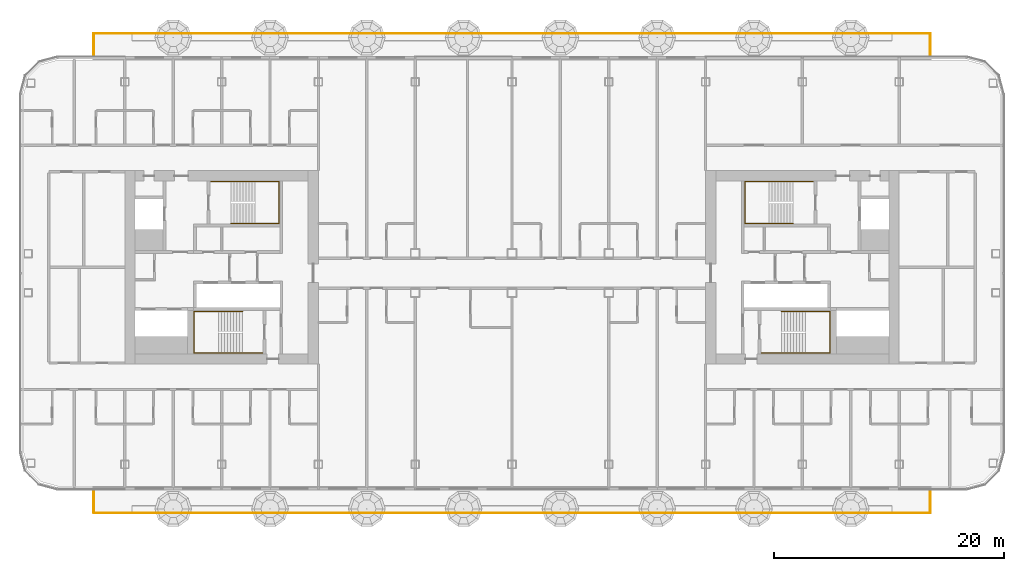
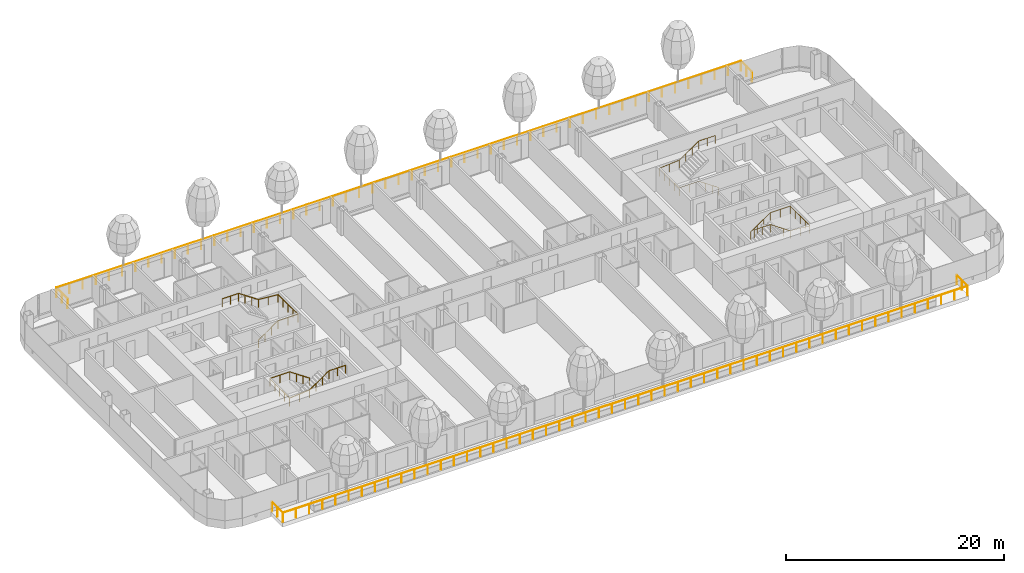
# One storey, part 27 of 32: 6 railings.
"""IFC4 building model written with IfcOpenShell, lengths in metres."""

from ifc_helpers import new_model, si_unit, direction, frame, origin, origin_2d, place, context, subcontext, project, spatial, circle, extrude, material, type_object, element, save


model = new_model("IFC4")

# Units and contexts
model_context = context("Model", 3, precision=1e-05, world=origin(), true_north=direction((0.0, 1.0)))
body_context = subcontext(model_context, "Body", "Model", "MODEL_VIEW")
ifc_project = project(units=[si_unit("LENGTHUNIT", "METRE"), si_unit("AREAUNIT", "SQUARE_METRE"), si_unit("VOLUMEUNIT", "CUBIC_METRE"), si_unit("PLANEANGLEUNIT", "RADIAN"), si_unit("MASSUNIT", "GRAM", prefix="KILO")], contexts=[model_context])

# Site, building, storey
site_placement = place(None, origin())
site = spatial("IfcSite", under=ifc_project, at=site_placement, CompositionType="ELEMENT")
building_placement = place(site_placement, origin())
building = spatial("IfcBuilding", under=site, at=building_placement, Name="Hakoniwa Tower and Hamabe Station Hall", CompositionType="ELEMENT")
storey_placement = place(building_placement, frame((0.0, 0.0, 150.199951171875)))
storey = spatial("IfcBuildingStorey", under=building, at=storey_placement, Name="L42", CompositionType="ELEMENT", Elevation=150.199951171875)

# Railings
ifc_material_1 = material(Name="Stainless steel and laminated glass", Category="steel")
railing_type_1 = type_object("IfcRailingType", Name="BALCONY BALUSTRADE 1100", PredefinedType="BALUSTRADE", material=ifc_material_1)
railing_1_placement = place(storey_placement, frame((-36.300048828125, 18.300048828125, 0.0)))
element("IfcRailing", 1, at=railing_1_placement, inside=storey, type_object=railing_type_1, Name="Balcony balustrade", PredefinedType="BALUSTRADE", context=body_context, shape_type="SweptSolid", body=[
    extrude(circle(Radius=0.02392578125, at=origin_2d()), frame((0.0, 0.0, 1.076171875), z_axis=(0.0, 1.0, 0.0), x_axis=(-1.0, 0.0, 0.0)), (0.0, 0.0, 1.0), 2.0),
    extrude(circle(Radius=0.02392578125, at=origin_2d()), frame((0.0, 2.0, 1.076171875), z_axis=(1.0, 0.0, 0.0), x_axis=(0.0, 1.0, 0.0)), (0.0, 0.0, 1.0), 72.60009765625),
    extrude(circle(Radius=0.02392578125, at=origin_2d()), frame((72.60009765625, 2.0, 1.076171875), z_axis=(0.0, -1.0, 0.0), x_axis=(1.0, 0.0, 0.0)), (0.0, 0.0, 1.0), 2.0),
    extrude(circle(Radius=0.02099609375, at=origin_2d()), origin(), (0.0, 0.0, 1.0), 1.052001953125),
    extrude(circle(Radius=0.02099609375, at=origin_2d()), frame((0.0, 1.0, 0.0)), (0.0, 0.0, 1.0), 1.052001953125),
    extrude(circle(Radius=0.02099609375, at=origin_2d()), frame((0.0, 2.0, 0.0)), (0.0, 0.0, 1.0), 1.052001953125),
    extrude(circle(Radius=0.02099609375, at=origin_2d()), frame((1.396240234375, 2.0, 0.0)), (0.0, 0.0, 1.0), 1.052001953125),
    extrude(circle(Radius=0.02099609375, at=origin_2d()), frame((2.792236328125, 2.0, 0.0)), (0.0, 0.0, 1.0), 1.052001953125),
    extrude(circle(Radius=0.02099609375, at=origin_2d()), frame((4.1884765625, 2.0, 0.0)), (0.0, 0.0, 1.0), 1.052001953125),
    extrude(circle(Radius=0.02099609375, at=origin_2d()), frame((5.584716796875, 2.0, 0.0)), (0.0, 0.0, 1.0), 1.052001953125),
    extrude(circle(Radius=0.02099609375, at=origin_2d()), frame((6.980712890625, 2.0, 0.0)), (0.0, 0.0, 1.0), 1.052001953125),
    extrude(circle(Radius=0.02099609375, at=origin_2d()), frame((8.376953125, 2.0, 0.0)), (0.0, 0.0, 1.0), 1.052001953125),
    extrude(circle(Radius=0.02099609375, at=origin_2d()), frame((9.773193359375, 2.0, 0.0)), (0.0, 0.0, 1.0), 1.052001953125),
    extrude(circle(Radius=0.02099609375, at=origin_2d()), frame((11.169189453125, 2.0, 0.0)), (0.0, 0.0, 1.0), 1.052001953125),
    extrude(circle(Radius=0.02099609375, at=origin_2d()), frame((12.5654296875, 2.0, 0.0)), (0.0, 0.0, 1.0), 1.052001953125),
    extrude(circle(Radius=0.02099609375, at=origin_2d()), frame((13.961669921875, 2.0, 0.0)), (0.0, 0.0, 1.0), 1.052001953125),
    extrude(circle(Radius=0.02099609375, at=origin_2d()), frame((15.357666015625, 2.0, 0.0)), (0.0, 0.0, 1.0), 1.052001953125),
    extrude(circle(Radius=0.02099609375, at=origin_2d()), frame((16.75390625, 2.0, 0.0)), (0.0, 0.0, 1.0), 1.052001953125),
    extrude(circle(Radius=0.02099609375, at=origin_2d()), frame((18.14990234375, 2.0, 0.0)), (0.0, 0.0, 1.0), 1.052001953125),
    extrude(circle(Radius=0.02099609375, at=origin_2d()), frame((19.546142578125, 2.0, 0.0)), (0.0, 0.0, 1.0), 1.052001953125),
    extrude(circle(Radius=0.02099609375, at=origin_2d()), frame((20.9423828125, 2.0, 0.0)), (0.0, 0.0, 1.0), 1.052001953125),
    extrude(circle(Radius=0.02099609375, at=origin_2d()), frame((22.33837890625, 2.0, 0.0)), (0.0, 0.0, 1.0), 1.052001953125),
    extrude(circle(Radius=0.02099609375, at=origin_2d()), frame((23.734619140625, 2.0, 0.0)), (0.0, 0.0, 1.0), 1.052001953125),
    extrude(circle(Radius=0.02099609375, at=origin_2d()), frame((25.130859375, 2.0, 0.0)), (0.0, 0.0, 1.0), 1.052001953125),
    extrude(circle(Radius=0.02099609375, at=origin_2d()), frame((26.52685546875, 2.0, 0.0)), (0.0, 0.0, 1.0), 1.052001953125),
    extrude(circle(Radius=0.02099609375, at=origin_2d()), frame((27.923095703125, 2.0, 0.0)), (0.0, 0.0, 1.0), 1.052001953125),
    extrude(circle(Radius=0.02099609375, at=origin_2d()), frame((29.3193359375, 2.0, 0.0)), (0.0, 0.0, 1.0), 1.052001953125),
    extrude(circle(Radius=0.02099609375, at=origin_2d()), frame((30.71533203125, 2.0, 0.0)), (0.0, 0.0, 1.0), 1.052001953125),
    extrude(circle(Radius=0.02099609375, at=origin_2d()), frame((32.111572265625, 2.0, 0.0)), (0.0, 0.0, 1.0), 1.052001953125),
    extrude(circle(Radius=0.02099609375, at=origin_2d()), frame((33.5078125, 2.0, 0.0)), (0.0, 0.0, 1.0), 1.052001953125),
    extrude(circle(Radius=0.02099609375, at=origin_2d()), frame((34.90380859375, 2.0, 0.0)), (0.0, 0.0, 1.0), 1.052001953125),
    extrude(circle(Radius=0.02099609375, at=origin_2d()), frame((36.300048828125, 2.0, 0.0)), (0.0, 0.0, 1.0), 1.052001953125),
    extrude(circle(Radius=0.02099609375, at=origin_2d()), frame((37.6962890625, 2.0, 0.0)), (0.0, 0.0, 1.0), 1.052001953125),
    extrude(circle(Radius=0.02099609375, at=origin_2d()), frame((39.09228515625, 2.0, 0.0)), (0.0, 0.0, 1.0), 1.052001953125),
    extrude(circle(Radius=0.02099609375, at=origin_2d()), frame((40.488525390625, 2.0, 0.0)), (0.0, 0.0, 1.0), 1.052001953125),
    extrude(circle(Radius=0.02099609375, at=origin_2d()), frame((41.884765625, 2.0, 0.0)), (0.0, 0.0, 1.0), 1.052001953125),
    extrude(circle(Radius=0.02099609375, at=origin_2d()), frame((43.28076171875, 2.0, 0.0)), (0.0, 0.0, 1.0), 1.052001953125),
    extrude(circle(Radius=0.02099609375, at=origin_2d()), frame((44.677001953125, 2.0, 0.0)), (0.0, 0.0, 1.0), 1.052001953125),
    extrude(circle(Radius=0.02099609375, at=origin_2d()), frame((46.0732421875, 2.0, 0.0)), (0.0, 0.0, 1.0), 1.052001953125),
    extrude(circle(Radius=0.02099609375, at=origin_2d()), frame((47.46923828125, 2.0, 0.0)), (0.0, 0.0, 1.0), 1.052001953125),
    extrude(circle(Radius=0.02099609375, at=origin_2d()), frame((48.865478515625, 2.0, 0.0)), (0.0, 0.0, 1.0), 1.052001953125),
    extrude(circle(Radius=0.02099609375, at=origin_2d()), frame((50.26171875, 2.0, 0.0)), (0.0, 0.0, 1.0), 1.052001953125),
    extrude(circle(Radius=0.02099609375, at=origin_2d()), frame((51.65771484375, 2.0, 0.0)), (0.0, 0.0, 1.0), 1.052001953125),
    extrude(circle(Radius=0.02099609375, at=origin_2d()), frame((53.053955078125, 2.0, 0.0)), (0.0, 0.0, 1.0), 1.052001953125),
    extrude(circle(Radius=0.02099609375, at=origin_2d()), frame((54.4501953125, 2.0, 0.0)), (0.0, 0.0, 1.0), 1.052001953125),
    extrude(circle(Radius=0.02099609375, at=origin_2d()), frame((55.84619140625, 2.0, 0.0)), (0.0, 0.0, 1.0), 1.052001953125),
    extrude(circle(Radius=0.02099609375, at=origin_2d()), frame((57.242431640625, 2.0, 0.0)), (0.0, 0.0, 1.0), 1.052001953125),
    extrude(circle(Radius=0.02099609375, at=origin_2d()), frame((58.638427734375, 2.0, 0.0)), (0.0, 0.0, 1.0), 1.052001953125),
    extrude(circle(Radius=0.02099609375, at=origin_2d()), frame((60.03466796875, 2.0, 0.0)), (0.0, 0.0, 1.0), 1.052001953125),
    extrude(circle(Radius=0.02099609375, at=origin_2d()), frame((61.430908203125, 2.0, 0.0)), (0.0, 0.0, 1.0), 1.052001953125),
    extrude(circle(Radius=0.02099609375, at=origin_2d()), frame((62.826904296875, 2.0, 0.0)), (0.0, 0.0, 1.0), 1.052001953125),
    extrude(circle(Radius=0.02099609375, at=origin_2d()), frame((64.22314453125, 2.0, 0.0)), (0.0, 0.0, 1.0), 1.052001953125),
    extrude(circle(Radius=0.02099609375, at=origin_2d()), frame((65.619384765625, 2.0, 0.0)), (0.0, 0.0, 1.0), 1.052001953125),
    extrude(circle(Radius=0.02099609375, at=origin_2d()), frame((67.015380859375, 2.0, 0.0)), (0.0, 0.0, 1.0), 1.052001953125),
    extrude(circle(Radius=0.02099609375, at=origin_2d()), frame((68.41162109375, 2.0, 0.0)), (0.0, 0.0, 1.0), 1.052001953125),
    extrude(circle(Radius=0.02099609375, at=origin_2d()), frame((69.807861328125, 2.0, 0.0)), (0.0, 0.0, 1.0), 1.052001953125),
    extrude(circle(Radius=0.02099609375, at=origin_2d()), frame((71.203857421875, 2.0, 0.0)), (0.0, 0.0, 1.0), 1.052001953125),
    extrude(circle(Radius=0.02099609375, at=origin_2d()), frame((72.60009765625, 2.0, 0.0)), (0.0, 0.0, 1.0), 1.052001953125),
    extrude(circle(Radius=0.02099609375, at=origin_2d()), frame((72.60009765625, 1.0, 0.0)), (0.0, 0.0, 1.0), 1.052001953125),
    extrude(circle(Radius=0.02099609375, at=origin_2d()), frame((72.60009765625, 0.0, 0.0)), (0.0, 0.0, 1.0), 1.052001953125),
])
railing_2_placement = place(storey_placement, frame((-36.300048828125, -19.300048828125, 0.0)))
element("IfcRailing", 2, at=railing_2_placement, inside=storey, type_object=railing_type_1, Name="Balcony balustrade", PredefinedType="BALUSTRADE", context=body_context, shape_type="SweptSolid", body=[
    extrude(circle(Radius=0.02392578125, at=origin_2d()), frame((0.0, 0.0, 1.076171875), z_axis=(0.0, -1.0, 0.0), x_axis=(1.0, 0.0, 0.0)), (0.0, 0.0, 1.0), 2.0),
    extrude(circle(Radius=0.02392578125, at=origin_2d()), frame((0.0, -2.0, 1.076171875), z_axis=(1.0, 0.0, 0.0), x_axis=(0.0, 1.0, 0.0)), (0.0, 0.0, 1.0), 72.60009765625),
    extrude(circle(Radius=0.02392578125, at=origin_2d()), frame((72.60009765625, -2.0, 1.076171875), z_axis=(0.0, 1.0, 0.0), x_axis=(-1.0, 0.0, 0.0)), (0.0, 0.0, 1.0), 2.0),
    extrude(circle(Radius=0.02099609375, at=origin_2d()), origin(), (0.0, 0.0, 1.0), 1.052001953125),
    extrude(circle(Radius=0.02099609375, at=origin_2d()), frame((0.0, -1.0, 0.0)), (0.0, 0.0, 1.0), 1.052001953125),
    extrude(circle(Radius=0.02099609375, at=origin_2d()), frame((0.0, -2.0, 0.0)), (0.0, 0.0, 1.0), 1.052001953125),
    extrude(circle(Radius=0.02099609375, at=origin_2d()), frame((1.396240234375, -2.0, 0.0)), (0.0, 0.0, 1.0), 1.052001953125),
    extrude(circle(Radius=0.02099609375, at=origin_2d()), frame((2.792236328125, -2.0, 0.0)), (0.0, 0.0, 1.0), 1.052001953125),
    extrude(circle(Radius=0.02099609375, at=origin_2d()), frame((4.1884765625, -2.0, 0.0)), (0.0, 0.0, 1.0), 1.052001953125),
    extrude(circle(Radius=0.02099609375, at=origin_2d()), frame((5.584716796875, -2.0, 0.0)), (0.0, 0.0, 1.0), 1.052001953125),
    extrude(circle(Radius=0.02099609375, at=origin_2d()), frame((6.980712890625, -2.0, 0.0)), (0.0, 0.0, 1.0), 1.052001953125),
    extrude(circle(Radius=0.02099609375, at=origin_2d()), frame((8.376953125, -2.0, 0.0)), (0.0, 0.0, 1.0), 1.052001953125),
    extrude(circle(Radius=0.02099609375, at=origin_2d()), frame((9.773193359375, -2.0, 0.0)), (0.0, 0.0, 1.0), 1.052001953125),
    extrude(circle(Radius=0.02099609375, at=origin_2d()), frame((11.169189453125, -2.0, 0.0)), (0.0, 0.0, 1.0), 1.052001953125),
    extrude(circle(Radius=0.02099609375, at=origin_2d()), frame((12.5654296875, -2.0, 0.0)), (0.0, 0.0, 1.0), 1.052001953125),
    extrude(circle(Radius=0.02099609375, at=origin_2d()), frame((13.961669921875, -2.0, 0.0)), (0.0, 0.0, 1.0), 1.052001953125),
    extrude(circle(Radius=0.02099609375, at=origin_2d()), frame((15.357666015625, -2.0, 0.0)), (0.0, 0.0, 1.0), 1.052001953125),
    extrude(circle(Radius=0.02099609375, at=origin_2d()), frame((16.75390625, -2.0, 0.0)), (0.0, 0.0, 1.0), 1.052001953125),
    extrude(circle(Radius=0.02099609375, at=origin_2d()), frame((18.14990234375, -2.0, 0.0)), (0.0, 0.0, 1.0), 1.052001953125),
    extrude(circle(Radius=0.02099609375, at=origin_2d()), frame((19.546142578125, -2.0, 0.0)), (0.0, 0.0, 1.0), 1.052001953125),
    extrude(circle(Radius=0.02099609375, at=origin_2d()), frame((20.9423828125, -2.0, 0.0)), (0.0, 0.0, 1.0), 1.052001953125),
    extrude(circle(Radius=0.02099609375, at=origin_2d()), frame((22.33837890625, -2.0, 0.0)), (0.0, 0.0, 1.0), 1.052001953125),
    extrude(circle(Radius=0.02099609375, at=origin_2d()), frame((23.734619140625, -2.0, 0.0)), (0.0, 0.0, 1.0), 1.052001953125),
    extrude(circle(Radius=0.02099609375, at=origin_2d()), frame((25.130859375, -2.0, 0.0)), (0.0, 0.0, 1.0), 1.052001953125),
    extrude(circle(Radius=0.02099609375, at=origin_2d()), frame((26.52685546875, -2.0, 0.0)), (0.0, 0.0, 1.0), 1.052001953125),
    extrude(circle(Radius=0.02099609375, at=origin_2d()), frame((27.923095703125, -2.0, 0.0)), (0.0, 0.0, 1.0), 1.052001953125),
    extrude(circle(Radius=0.02099609375, at=origin_2d()), frame((29.3193359375, -2.0, 0.0)), (0.0, 0.0, 1.0), 1.052001953125),
    extrude(circle(Radius=0.02099609375, at=origin_2d()), frame((30.71533203125, -2.0, 0.0)), (0.0, 0.0, 1.0), 1.052001953125),
    extrude(circle(Radius=0.02099609375, at=origin_2d()), frame((32.111572265625, -2.0, 0.0)), (0.0, 0.0, 1.0), 1.052001953125),
    extrude(circle(Radius=0.02099609375, at=origin_2d()), frame((33.5078125, -2.0, 0.0)), (0.0, 0.0, 1.0), 1.052001953125),
    extrude(circle(Radius=0.02099609375, at=origin_2d()), frame((34.90380859375, -2.0, 0.0)), (0.0, 0.0, 1.0), 1.052001953125),
    extrude(circle(Radius=0.02099609375, at=origin_2d()), frame((36.300048828125, -2.0, 0.0)), (0.0, 0.0, 1.0), 1.052001953125),
    extrude(circle(Radius=0.02099609375, at=origin_2d()), frame((37.6962890625, -2.0, 0.0)), (0.0, 0.0, 1.0), 1.052001953125),
    extrude(circle(Radius=0.02099609375, at=origin_2d()), frame((39.09228515625, -2.0, 0.0)), (0.0, 0.0, 1.0), 1.052001953125),
    extrude(circle(Radius=0.02099609375, at=origin_2d()), frame((40.488525390625, -2.0, 0.0)), (0.0, 0.0, 1.0), 1.052001953125),
    extrude(circle(Radius=0.02099609375, at=origin_2d()), frame((41.884765625, -2.0, 0.0)), (0.0, 0.0, 1.0), 1.052001953125),
    extrude(circle(Radius=0.02099609375, at=origin_2d()), frame((43.28076171875, -2.0, 0.0)), (0.0, 0.0, 1.0), 1.052001953125),
    extrude(circle(Radius=0.02099609375, at=origin_2d()), frame((44.677001953125, -2.0, 0.0)), (0.0, 0.0, 1.0), 1.052001953125),
    extrude(circle(Radius=0.02099609375, at=origin_2d()), frame((46.0732421875, -2.0, 0.0)), (0.0, 0.0, 1.0), 1.052001953125),
    extrude(circle(Radius=0.02099609375, at=origin_2d()), frame((47.46923828125, -2.0, 0.0)), (0.0, 0.0, 1.0), 1.052001953125),
    extrude(circle(Radius=0.02099609375, at=origin_2d()), frame((48.865478515625, -2.0, 0.0)), (0.0, 0.0, 1.0), 1.052001953125),
    extrude(circle(Radius=0.02099609375, at=origin_2d()), frame((50.26171875, -2.0, 0.0)), (0.0, 0.0, 1.0), 1.052001953125),
    extrude(circle(Radius=0.02099609375, at=origin_2d()), frame((51.65771484375, -2.0, 0.0)), (0.0, 0.0, 1.0), 1.052001953125),
    extrude(circle(Radius=0.02099609375, at=origin_2d()), frame((53.053955078125, -2.0, 0.0)), (0.0, 0.0, 1.0), 1.052001953125),
    extrude(circle(Radius=0.02099609375, at=origin_2d()), frame((54.4501953125, -2.0, 0.0)), (0.0, 0.0, 1.0), 1.052001953125),
    extrude(circle(Radius=0.02099609375, at=origin_2d()), frame((55.84619140625, -2.0, 0.0)), (0.0, 0.0, 1.0), 1.052001953125),
    extrude(circle(Radius=0.02099609375, at=origin_2d()), frame((57.242431640625, -2.0, 0.0)), (0.0, 0.0, 1.0), 1.052001953125),
    extrude(circle(Radius=0.02099609375, at=origin_2d()), frame((58.638427734375, -2.0, 0.0)), (0.0, 0.0, 1.0), 1.052001953125),
    extrude(circle(Radius=0.02099609375, at=origin_2d()), frame((60.03466796875, -2.0, 0.0)), (0.0, 0.0, 1.0), 1.052001953125),
    extrude(circle(Radius=0.02099609375, at=origin_2d()), frame((61.430908203125, -2.0, 0.0)), (0.0, 0.0, 1.0), 1.052001953125),
    extrude(circle(Radius=0.02099609375, at=origin_2d()), frame((62.826904296875, -2.0, 0.0)), (0.0, 0.0, 1.0), 1.052001953125),
    extrude(circle(Radius=0.02099609375, at=origin_2d()), frame((64.22314453125, -2.0, 0.0)), (0.0, 0.0, 1.0), 1.052001953125),
    extrude(circle(Radius=0.02099609375, at=origin_2d()), frame((65.619384765625, -2.0, 0.0)), (0.0, 0.0, 1.0), 1.052001953125),
    extrude(circle(Radius=0.02099609375, at=origin_2d()), frame((67.015380859375, -2.0, 0.0)), (0.0, 0.0, 1.0), 1.052001953125),
    extrude(circle(Radius=0.02099609375, at=origin_2d()), frame((68.41162109375, -2.0, 0.0)), (0.0, 0.0, 1.0), 1.052001953125),
    extrude(circle(Radius=0.02099609375, at=origin_2d()), frame((69.807861328125, -2.0, 0.0)), (0.0, 0.0, 1.0), 1.052001953125),
    extrude(circle(Radius=0.02099609375, at=origin_2d()), frame((71.203857421875, -2.0, 0.0)), (0.0, 0.0, 1.0), 1.052001953125),
    extrude(circle(Radius=0.02099609375, at=origin_2d()), frame((72.60009765625, -2.0, 0.0)), (0.0, 0.0, 1.0), 1.052001953125),
    extrude(circle(Radius=0.02099609375, at=origin_2d()), frame((72.60009765625, -1.0, 0.0)), (0.0, 0.0, 1.0), 1.052001953125),
    extrude(circle(Radius=0.02099609375, at=origin_2d()), frame((72.60009765625, 0.0, 0.0)), (0.0, 0.0, 1.0), 1.052001953125),
])
ifc_material_2 = material(Name="Stainless steel SUS304", Category="steel")
railing_type_2 = type_object("IfcRailingType", Name="STAIR HANDRAIL 900", PredefinedType="HANDRAIL", material=ifc_material_2)
railing_3_placement = place(storey_placement, frame((-24.39990234375, 3.81005859375, 0.177734375)))
element("IfcRailing", 3, at=railing_3_placement, inside=storey, type_object=railing_type_2, Name="Handrail ST-1 L42 1", PredefinedType="HANDRAIL", context=body_context, shape_type="SweptSolid", body=[
    extrude(circle(Radius=0.02392578125, at=origin_2d()), frame((0.0, 0.0, 0.8759765625), z_axis=(0.825433201882, 0.0, 0.564499804456), x_axis=(0.0, 1.0, 0.0)), (0.0, 0.0, 1.0), 2.519775390625),
    extrude(circle(Radius=0.02392578125, at=origin_2d()), frame((2.079833984375, 0.0, 2.29833984375), z_axis=(1.0, 0.0, 0.0), x_axis=(0.0, 1.0, 0.0)), (0.0, 0.0, 1.0), 2.110107421875),
    extrude(circle(Radius=0.02392578125, at=origin_2d()), frame((4.18994140625, 0.0, 2.29833984375), z_axis=(0.0, 1.0, 0.0), x_axis=(-1.0, 0.0, 0.0)), (0.0, 0.0, 1.0), 3.6298828125),
    extrude(circle(Radius=0.02392578125, at=origin_2d()), frame((4.18994140625, 3.6298828125, 2.29833984375), z_axis=(-0.996471417081, 0.0, 0.083932800143), x_axis=(0.0, -1.0, 0.0)), (0.0, 0.0, 1.0), 2.11767578125),
    extrude(circle(Radius=0.02392578125, at=origin_2d()), frame((2.079833984375, 3.6298828125, 2.47607421875), z_axis=(-0.825478349766, 0.0, 0.564433781827), x_axis=(0.0, -1.0, 0.0)), (0.0, 0.0, 1.0), 2.51953125),
    extrude(circle(Radius=0.02392578125, at=origin_2d()), frame((0.0, 3.6298828125, 3.89794921875), z_axis=(-1.0, 0.0, 0.0), x_axis=(0.0, -1.0, 0.0)), (0.0, 0.0, 1.0), 1.739990234375),
    extrude(circle(Radius=0.02099609375, at=origin_2d()), origin(), (0.0, 0.0, 1.0), 0.851806640625),
    extrude(circle(Radius=0.02099609375, at=origin_2d()), frame((0.693359375, 0.0, 0.47412109375)), (0.0, 0.0, 1.0), 0.851806640625),
    extrude(circle(Radius=0.02099609375, at=origin_2d()), frame((1.386474609375, 0.0, 0.9482421875)), (0.0, 0.0, 1.0), 0.851806640625),
    extrude(circle(Radius=0.02099609375, at=origin_2d()), frame((2.079833984375, 0.0, 1.42236328125)), (0.0, 0.0, 1.0), 0.851806640625),
    extrude(circle(Radius=0.02099609375, at=origin_2d()), frame((3.134765625, 0.0, 1.42236328125)), (0.0, 0.0, 1.0), 0.851806640625),
    extrude(circle(Radius=0.02099609375, at=origin_2d()), frame((4.18994140625, 0.0, 1.42236328125)), (0.0, 0.0, 1.0), 0.851806640625),
    extrude(circle(Radius=0.02099609375, at=origin_2d()), frame((4.18994140625, 0.907470703125, 1.42236328125)), (0.0, 0.0, 1.0), 0.851806640625),
    extrude(circle(Radius=0.02099609375, at=origin_2d()), frame((4.18994140625, 1.81494140625, 1.42236328125)), (0.0, 0.0, 1.0), 0.851806640625),
    extrude(circle(Radius=0.02099609375, at=origin_2d()), frame((4.18994140625, 2.722412109375, 1.42236328125)), (0.0, 0.0, 1.0), 0.851806640625),
    extrude(circle(Radius=0.02099609375, at=origin_2d()), frame((4.18994140625, 3.6298828125, 1.42236328125)), (0.0, 0.0, 1.0), 0.851806640625),
    extrude(circle(Radius=0.02099609375, at=origin_2d()), frame((3.134765625, 3.6298828125, 1.51123046875)), (0.0, 0.0, 1.0), 0.851806640625),
    extrude(circle(Radius=0.02099609375, at=origin_2d()), frame((2.079833984375, 3.6298828125, 1.60009765625)), (0.0, 0.0, 1.0), 0.851806640625),
    extrude(circle(Radius=0.02099609375, at=origin_2d()), frame((1.386474609375, 3.6298828125, 2.07421875)), (0.0, 0.0, 1.0), 0.851806640625),
    extrude(circle(Radius=0.02099609375, at=origin_2d()), frame((0.693359375, 3.6298828125, 2.548095703125)), (0.0, 0.0, 1.0), 0.851806640625),
    extrude(circle(Radius=0.02099609375, at=origin_2d()), frame((0.0, 3.6298828125, 3.022216796875)), (0.0, 0.0, 1.0), 0.851806640625),
    extrude(circle(Radius=0.02099609375, at=origin_2d()), frame((-0.8701171875, 3.6298828125, 3.022216796875)), (0.0, 0.0, 1.0), 0.851806640625),
    extrude(circle(Radius=0.02099609375, at=origin_2d()), frame((-1.739990234375, 3.6298828125, 3.022216796875)), (0.0, 0.0, 1.0), 0.851806640625),
])
railing_4_placement = place(storey_placement, frame((-23.39990234375, -3.81005859375, 0.177734375)))
element("IfcRailing", 4, at=railing_4_placement, inside=storey, type_object=railing_type_2, Name="Handrail ST-2 L42 1", PredefinedType="HANDRAIL", context=body_context, shape_type="SweptSolid", body=[
    extrude(circle(Radius=0.02392578125, at=origin_2d()), frame((0.0, 0.0, 0.8759765625), z_axis=(-0.825464074169, 0.0, 0.564454659168), x_axis=(0.0, -1.0, 0.0)), (0.0, 0.0, 1.0), 2.519775390625),
    extrude(circle(Radius=0.02392578125, at=origin_2d()), frame((-2.080078125, 0.0, 2.29833984375), z_axis=(-1.0, 0.0, 0.0), x_axis=(0.0, -1.0, 0.0)), (0.0, 0.0, 1.0), 2.110107421875),
    extrude(circle(Radius=0.02392578125, at=origin_2d()), frame((-4.190185546875, 0.0, 2.29833984375), z_axis=(0.0, -1.0, 0.0), x_axis=(1.0, 0.0, 0.0)), (0.0, 0.0, 1.0), 3.6298828125),
    extrude(circle(Radius=0.02392578125, at=origin_2d()), frame((-4.190185546875, -3.6298828125, 2.29833984375), z_axis=(0.996471417081, 0.0, 0.083932800143), x_axis=(0.0, 1.0, 0.0)), (0.0, 0.0, 1.0), 2.11767578125),
    extrude(circle(Radius=0.02392578125, at=origin_2d()), frame((-2.080078125, -3.6298828125, 2.47607421875), z_axis=(0.82550921652, 0.0, 0.564388636881), x_axis=(0.0, 1.0, 0.0)), (0.0, 0.0, 1.0), 2.519775390625),
    extrude(circle(Radius=0.02392578125, at=origin_2d()), frame((0.0, -3.6298828125, 3.89794921875), z_axis=(1.0, 0.0, 0.0), x_axis=(0.0, 1.0, 0.0)), (0.0, 0.0, 1.0), 1.739990234375),
    extrude(circle(Radius=0.02099609375, at=origin_2d()), origin(), (0.0, 0.0, 1.0), 0.851806640625),
    extrude(circle(Radius=0.02099609375, at=origin_2d()), frame((-0.693359375, 0.0, 0.47412109375)), (0.0, 0.0, 1.0), 0.851806640625),
    extrude(circle(Radius=0.02099609375, at=origin_2d()), frame((-1.38671875, 0.0, 0.9482421875)), (0.0, 0.0, 1.0), 0.851806640625),
    extrude(circle(Radius=0.02099609375, at=origin_2d()), frame((-2.080078125, 0.0, 1.42236328125)), (0.0, 0.0, 1.0), 0.851806640625),
    extrude(circle(Radius=0.02099609375, at=origin_2d()), frame((-3.13525390625, 0.0, 1.42236328125)), (0.0, 0.0, 1.0), 0.851806640625),
    extrude(circle(Radius=0.02099609375, at=origin_2d()), frame((-4.190185546875, 0.0, 1.42236328125)), (0.0, 0.0, 1.0), 0.851806640625),
    extrude(circle(Radius=0.02099609375, at=origin_2d()), frame((-4.190185546875, -0.907470703125, 1.42236328125)), (0.0, 0.0, 1.0), 0.851806640625),
    extrude(circle(Radius=0.02099609375, at=origin_2d()), frame((-4.190185546875, -1.81494140625, 1.42236328125)), (0.0, 0.0, 1.0), 0.851806640625),
    extrude(circle(Radius=0.02099609375, at=origin_2d()), frame((-4.190185546875, -2.722412109375, 1.42236328125)), (0.0, 0.0, 1.0), 0.851806640625),
    extrude(circle(Radius=0.02099609375, at=origin_2d()), frame((-4.190185546875, -3.6298828125, 1.42236328125)), (0.0, 0.0, 1.0), 0.851806640625),
    extrude(circle(Radius=0.02099609375, at=origin_2d()), frame((-3.13525390625, -3.6298828125, 1.51123046875)), (0.0, 0.0, 1.0), 0.851806640625),
    extrude(circle(Radius=0.02099609375, at=origin_2d()), frame((-2.080078125, -3.6298828125, 1.60009765625)), (0.0, 0.0, 1.0), 0.851806640625),
    extrude(circle(Radius=0.02099609375, at=origin_2d()), frame((-1.38671875, -3.6298828125, 2.07421875)), (0.0, 0.0, 1.0), 0.851806640625),
    extrude(circle(Radius=0.02099609375, at=origin_2d()), frame((-0.693359375, -3.6298828125, 2.548095703125)), (0.0, 0.0, 1.0), 0.851806640625),
    extrude(circle(Radius=0.02099609375, at=origin_2d()), frame((0.0, -3.6298828125, 3.022216796875)), (0.0, 0.0, 1.0), 0.851806640625),
    extrude(circle(Radius=0.02099609375, at=origin_2d()), frame((0.8701171875, -3.6298828125, 3.022216796875)), (0.0, 0.0, 1.0), 0.851806640625),
    extrude(circle(Radius=0.02099609375, at=origin_2d()), frame((1.739990234375, -3.6298828125, 3.022216796875)), (0.0, 0.0, 1.0), 0.851806640625),
])
railing_5_placement = place(storey_placement, frame((24.39990234375, 3.81005859375, 0.177734375)))
element("IfcRailing", 5, at=railing_5_placement, inside=storey, type_object=railing_type_2, Name="Handrail ST-3 L42 1", PredefinedType="HANDRAIL", context=body_context, shape_type="SweptSolid", body=[
    extrude(circle(Radius=0.02392578125, at=origin_2d()), frame((0.0, 0.0, 0.8759765625), z_axis=(-0.825433201882, 0.0, 0.564499804456), x_axis=(0.0, -1.0, 0.0)), (0.0, 0.0, 1.0), 2.519775390625),
    extrude(circle(Radius=0.02392578125, at=origin_2d()), frame((-2.079833984375, 0.0, 2.29833984375), z_axis=(-1.0, 0.0, 0.0), x_axis=(0.0, -1.0, 0.0)), (0.0, 0.0, 1.0), 2.110107421875),
    extrude(circle(Radius=0.02392578125, at=origin_2d()), frame((-4.18994140625, 0.0, 2.29833984375), z_axis=(0.0, 1.0, 0.0), x_axis=(-1.0, 0.0, 0.0)), (0.0, 0.0, 1.0), 3.6298828125),
    extrude(circle(Radius=0.02392578125, at=origin_2d()), frame((-4.18994140625, 3.6298828125, 2.29833984375), z_axis=(0.996471417081, 0.0, 0.083932800143), x_axis=(0.0, 1.0, 0.0)), (0.0, 0.0, 1.0), 2.11767578125),
    extrude(circle(Radius=0.02392578125, at=origin_2d()), frame((-2.079833984375, 3.6298828125, 2.47607421875), z_axis=(0.825478349766, 0.0, 0.564433781827), x_axis=(0.0, 1.0, 0.0)), (0.0, 0.0, 1.0), 2.51953125),
    extrude(circle(Radius=0.02392578125, at=origin_2d()), frame((0.0, 3.6298828125, 3.89794921875), z_axis=(1.0, 0.0, 0.0), x_axis=(0.0, 1.0, 0.0)), (0.0, 0.0, 1.0), 1.739990234375),
    extrude(circle(Radius=0.02099609375, at=origin_2d()), origin(), (0.0, 0.0, 1.0), 0.851806640625),
    extrude(circle(Radius=0.02099609375, at=origin_2d()), frame((-0.693359375, 0.0, 0.47412109375)), (0.0, 0.0, 1.0), 0.851806640625),
    extrude(circle(Radius=0.02099609375, at=origin_2d()), frame((-1.386474609375, 0.0, 0.9482421875)), (0.0, 0.0, 1.0), 0.851806640625),
    extrude(circle(Radius=0.02099609375, at=origin_2d()), frame((-2.079833984375, 0.0, 1.42236328125)), (0.0, 0.0, 1.0), 0.851806640625),
    extrude(circle(Radius=0.02099609375, at=origin_2d()), frame((-3.134765625, 0.0, 1.42236328125)), (0.0, 0.0, 1.0), 0.851806640625),
    extrude(circle(Radius=0.02099609375, at=origin_2d()), frame((-4.18994140625, 0.0, 1.42236328125)), (0.0, 0.0, 1.0), 0.851806640625),
    extrude(circle(Radius=0.02099609375, at=origin_2d()), frame((-4.18994140625, 0.907470703125, 1.42236328125)), (0.0, 0.0, 1.0), 0.851806640625),
    extrude(circle(Radius=0.02099609375, at=origin_2d()), frame((-4.18994140625, 1.81494140625, 1.42236328125)), (0.0, 0.0, 1.0), 0.851806640625),
    extrude(circle(Radius=0.02099609375, at=origin_2d()), frame((-4.18994140625, 2.722412109375, 1.42236328125)), (0.0, 0.0, 1.0), 0.851806640625),
    extrude(circle(Radius=0.02099609375, at=origin_2d()), frame((-4.18994140625, 3.6298828125, 1.42236328125)), (0.0, 0.0, 1.0), 0.851806640625),
    extrude(circle(Radius=0.02099609375, at=origin_2d()), frame((-3.134765625, 3.6298828125, 1.51123046875)), (0.0, 0.0, 1.0), 0.851806640625),
    extrude(circle(Radius=0.02099609375, at=origin_2d()), frame((-2.079833984375, 3.6298828125, 1.60009765625)), (0.0, 0.0, 1.0), 0.851806640625),
    extrude(circle(Radius=0.02099609375, at=origin_2d()), frame((-1.386474609375, 3.6298828125, 2.07421875)), (0.0, 0.0, 1.0), 0.851806640625),
    extrude(circle(Radius=0.02099609375, at=origin_2d()), frame((-0.693359375, 3.6298828125, 2.548095703125)), (0.0, 0.0, 1.0), 0.851806640625),
    extrude(circle(Radius=0.02099609375, at=origin_2d()), frame((0.0, 3.6298828125, 3.022216796875)), (0.0, 0.0, 1.0), 0.851806640625),
    extrude(circle(Radius=0.02099609375, at=origin_2d()), frame((0.8701171875, 3.6298828125, 3.022216796875)), (0.0, 0.0, 1.0), 0.851806640625),
    extrude(circle(Radius=0.02099609375, at=origin_2d()), frame((1.739990234375, 3.6298828125, 3.022216796875)), (0.0, 0.0, 1.0), 0.851806640625),
])
railing_6_placement = place(storey_placement, frame((23.39990234375, -3.81005859375, 0.177734375)))
element("IfcRailing", 6, at=railing_6_placement, inside=storey, type_object=railing_type_2, Name="Handrail ST-4 L42 1", PredefinedType="HANDRAIL", context=body_context, shape_type="SweptSolid", body=[
    extrude(circle(Radius=0.02392578125, at=origin_2d()), frame((0.0, 0.0, 0.8759765625), z_axis=(0.825464074169, 0.0, 0.564454659168), x_axis=(0.0, 1.0, 0.0)), (0.0, 0.0, 1.0), 2.519775390625),
    extrude(circle(Radius=0.02392578125, at=origin_2d()), frame((2.080078125, 0.0, 2.29833984375), z_axis=(1.0, 0.0, 0.0), x_axis=(0.0, 1.0, 0.0)), (0.0, 0.0, 1.0), 2.110107421875),
    extrude(circle(Radius=0.02392578125, at=origin_2d()), frame((4.190185546875, 0.0, 2.29833984375), z_axis=(0.0, -1.0, 0.0), x_axis=(1.0, 0.0, 0.0)), (0.0, 0.0, 1.0), 3.6298828125),
    extrude(circle(Radius=0.02392578125, at=origin_2d()), frame((4.190185546875, -3.6298828125, 2.29833984375), z_axis=(-0.996471417081, 0.0, 0.083932800143), x_axis=(0.0, -1.0, 0.0)), (0.0, 0.0, 1.0), 2.11767578125),
    extrude(circle(Radius=0.02392578125, at=origin_2d()), frame((2.080078125, -3.6298828125, 2.47607421875), z_axis=(-0.82550921652, 0.0, 0.564388636881), x_axis=(0.0, -1.0, 0.0)), (0.0, 0.0, 1.0), 2.519775390625),
    extrude(circle(Radius=0.02392578125, at=origin_2d()), frame((0.0, -3.6298828125, 3.89794921875), z_axis=(-1.0, 0.0, 0.0), x_axis=(0.0, -1.0, 0.0)), (0.0, 0.0, 1.0), 1.739990234375),
    extrude(circle(Radius=0.02099609375, at=origin_2d()), origin(), (0.0, 0.0, 1.0), 0.851806640625),
    extrude(circle(Radius=0.02099609375, at=origin_2d()), frame((0.693359375, 0.0, 0.47412109375)), (0.0, 0.0, 1.0), 0.851806640625),
    extrude(circle(Radius=0.02099609375, at=origin_2d()), frame((1.38671875, 0.0, 0.9482421875)), (0.0, 0.0, 1.0), 0.851806640625),
    extrude(circle(Radius=0.02099609375, at=origin_2d()), frame((2.080078125, 0.0, 1.42236328125)), (0.0, 0.0, 1.0), 0.851806640625),
    extrude(circle(Radius=0.02099609375, at=origin_2d()), frame((3.13525390625, 0.0, 1.42236328125)), (0.0, 0.0, 1.0), 0.851806640625),
    extrude(circle(Radius=0.02099609375, at=origin_2d()), frame((4.190185546875, 0.0, 1.42236328125)), (0.0, 0.0, 1.0), 0.851806640625),
    extrude(circle(Radius=0.02099609375, at=origin_2d()), frame((4.190185546875, -0.907470703125, 1.42236328125)), (0.0, 0.0, 1.0), 0.851806640625),
    extrude(circle(Radius=0.02099609375, at=origin_2d()), frame((4.190185546875, -1.81494140625, 1.42236328125)), (0.0, 0.0, 1.0), 0.851806640625),
    extrude(circle(Radius=0.02099609375, at=origin_2d()), frame((4.190185546875, -2.722412109375, 1.42236328125)), (0.0, 0.0, 1.0), 0.851806640625),
    extrude(circle(Radius=0.02099609375, at=origin_2d()), frame((4.190185546875, -3.6298828125, 1.42236328125)), (0.0, 0.0, 1.0), 0.851806640625),
    extrude(circle(Radius=0.02099609375, at=origin_2d()), frame((3.13525390625, -3.6298828125, 1.51123046875)), (0.0, 0.0, 1.0), 0.851806640625),
    extrude(circle(Radius=0.02099609375, at=origin_2d()), frame((2.080078125, -3.6298828125, 1.60009765625)), (0.0, 0.0, 1.0), 0.851806640625),
    extrude(circle(Radius=0.02099609375, at=origin_2d()), frame((1.38671875, -3.6298828125, 2.07421875)), (0.0, 0.0, 1.0), 0.851806640625),
    extrude(circle(Radius=0.02099609375, at=origin_2d()), frame((0.693359375, -3.6298828125, 2.548095703125)), (0.0, 0.0, 1.0), 0.851806640625),
    extrude(circle(Radius=0.02099609375, at=origin_2d()), frame((0.0, -3.6298828125, 3.022216796875)), (0.0, 0.0, 1.0), 0.851806640625),
    extrude(circle(Radius=0.02099609375, at=origin_2d()), frame((-0.8701171875, -3.6298828125, 3.022216796875)), (0.0, 0.0, 1.0), 0.851806640625),
    extrude(circle(Radius=0.02099609375, at=origin_2d()), frame((-1.739990234375, -3.6298828125, 3.022216796875)), (0.0, 0.0, 1.0), 0.851806640625),
])

save(model, "model.ifc")
